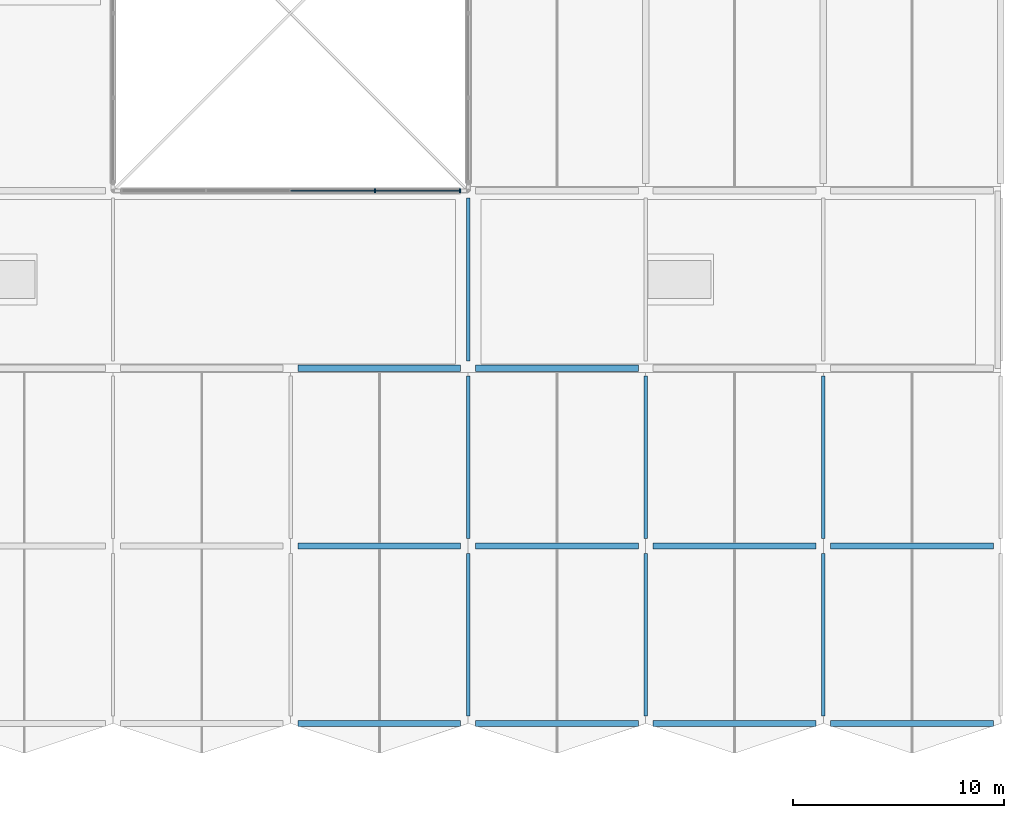
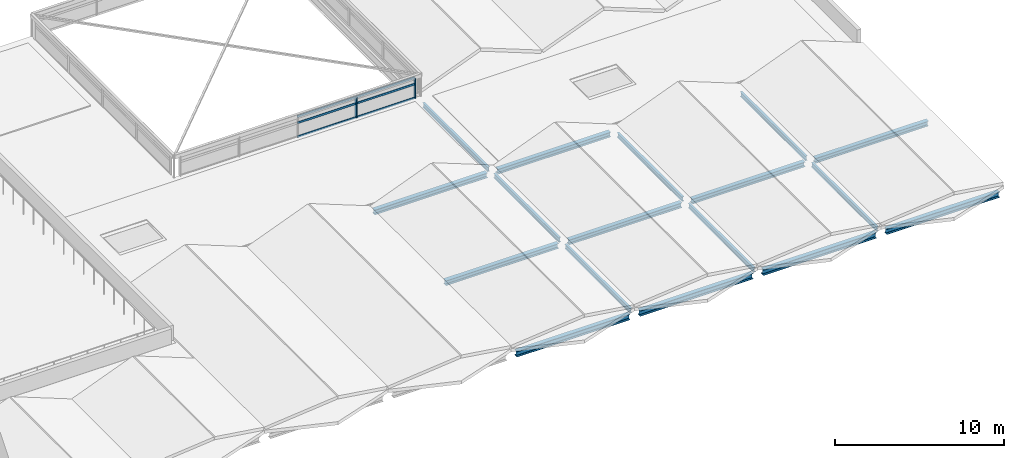
# One storey, part 60 of 81: 17 beams, 8 members, 1 element without a shape of its own.
"""IFC4 building model written with IfcOpenShell, lengths in metres."""

from ifc_helpers import new_model, si_unit, direction, frame, origin, origin_2d, place, context, subcontext, project, spatial, rectangle, i_section, extrude, material, layer, layer_set, material_profile, profile_set, type_object, element, aggregate, save


model = new_model("IFC4")

# Units and contexts
model_context = context("Model", 3, precision=1e-05, world=origin(), true_north=direction((0.0, 1.0)))
body_context = subcontext(model_context, "Body", "Model", "MODEL_VIEW")
ifc_project = project(units=[si_unit("LENGTHUNIT", "METRE"), si_unit("AREAUNIT", "SQUARE_METRE"), si_unit("VOLUMEUNIT", "CUBIC_METRE"), si_unit("PLANEANGLEUNIT", "RADIAN"), si_unit("MASSUNIT", "GRAM", prefix="KILO")], contexts=[model_context])

# Site, building, storey
site_placement = place(None, origin())
site = spatial("IfcSite", under=ifc_project, at=site_placement, CompositionType="ELEMENT")
building_placement = place(site_placement, origin())
building = spatial("IfcBuilding", under=site, at=building_placement, Name="Qawsi Khor Wholesale Market", CompositionType="ELEMENT")
storey_placement = place(building_placement, frame((0.0, 0.0, 16.199951171875)))
storey = spatial("IfcBuildingStorey", under=building, at=storey_placement, Name="L03", CompositionType="ELEMENT", Elevation=16.199951171875)

# Curtain wall, members
ifc_material_1 = material(Name="Aluminium Anodised Bronze", Category="aluminium")
ifc_layer = layer(ifc_material_1, 0.179931640625, Name="Aluminium Anodised Bronze")
ifc_layer_set = layer_set([ifc_layer], Name="Aluminium Anodised Bronze")
curtain_wall_type = type_object("IfcCurtainWallType", Name="Atrium Full-Height Curtain Wall CW-02", PredefinedType="NOTDEFINED", material=ifc_layer_set)
curtain_wall_placement = place(storey_placement, origin())
curtain_wall = element("IfcCurtainWall", 1, at=curtain_wall_placement, inside=storey, type_object=curtain_wall_type, Name="Curtain wall CW-CW-02-L03-050", PredefinedType="NOTDEFINED")
ifc_material_profile_1 = material_profile(ifc_material_1, rectangle(XDim=0.070068359375, YDim=0.199951171875, at=origin_2d()), Name="ALU MULLION 70x200")
ifc_profile_set_1 = profile_set([ifc_material_profile_1], Name="Aluminium Anodised Bronze")
member_type_1 = type_object("IfcMemberType", Name="Curtain Wall Mullion CW-02 ALU MULLION 70x200", PredefinedType="MULLION", material=ifc_profile_set_1)
member_1_placement = place(storey_placement, frame((163.6025390625, 25.199951171875, -0.02001953125), z_axis=(0.0, 0.0, 1.0), x_axis=(1.0, 0.0, 0.0)))
member_1 = element("IfcMember", 2, at=member_1_placement, type_object=member_type_1, Name="Mullion CW-CW-02-L03-050-M03", PredefinedType="MULLION", context=body_context, shape_type="SweptSolid", body=[
    extrude(rectangle(XDim=0.070068359375, YDim=0.199951171875, at=origin_2d()), origin(), (0.0, 0.0, 1.0), 1.469970703125),
])
member_2_placement = place(storey_placement, frame((167.60498046875, 25.199951171875, -0.02001953125), z_axis=(0.0, 0.0, 1.0), x_axis=(1.0, 0.0, 0.0)))
member_2 = element("IfcMember", 3, at=member_2_placement, type_object=member_type_1, Name="Mullion CW-CW-02-L03-050-M04", PredefinedType="MULLION", context=body_context, shape_type="SweptSolid", body=[
    extrude(rectangle(XDim=0.070068359375, YDim=0.199951171875, at=origin_2d()), origin(), (0.0, 0.0, 1.0), 1.469970703125),
])
ifc_material_profile_2 = material_profile(ifc_material_1, rectangle(XDim=0.06494140625, YDim=0.139892578125, at=origin_2d()), Name="ALU TRANSOM 65x140")
ifc_profile_set_2 = profile_set([ifc_material_profile_2], Name="Aluminium Anodised Bronze")
member_type_2 = type_object("IfcMemberType", Name="Curtain Wall Transom CW-02 ALU TRANSOM 65x140", PredefinedType="USERDEFINED", material=ifc_profile_set_2)
member_3_placement = place(storey_placement, frame((159.60009765625, 25.199951171875, 0.0), z_axis=(1.0, 0.0, 0.0), x_axis=(0.0, 1.0, 0.0)))
member_3 = element("IfcMember", 4, at=member_3_placement, type_object=member_type_2, Name="Transom CW-CW-02-L03-050-T0_02", ObjectType="TRANSOM", PredefinedType="USERDEFINED", context=body_context, shape_type="SweptSolid", body=[
    extrude(rectangle(XDim=0.06494140625, YDim=0.139892578125, at=origin_2d()), origin(), (0.0, 0.0, 1.0), 4.00244140625),
])
member_4_placement = place(storey_placement, frame((163.6025390625, 25.199951171875, 0.0), z_axis=(1.0, 0.0, 0.0), x_axis=(0.0, 1.0, 0.0)))
member_4 = element("IfcMember", 5, at=member_4_placement, type_object=member_type_2, Name="Transom CW-CW-02-L03-050-T0_03", ObjectType="TRANSOM", PredefinedType="USERDEFINED", context=body_context, shape_type="SweptSolid", body=[
    extrude(rectangle(XDim=0.06494140625, YDim=0.139892578125, at=origin_2d()), origin(), (0.0, 0.0, 1.0), 4.00244140625),
])
member_5_placement = place(storey_placement, frame((159.60009765625, 25.199951171875, 1.0), z_axis=(1.0, 0.0, 0.0), x_axis=(0.0, 1.0, 0.0)))
member_5 = element("IfcMember", 6, at=member_5_placement, type_object=member_type_2, Name="Transom CW-CW-02-L03-050-T1_02", ObjectType="TRANSOM", PredefinedType="USERDEFINED", context=body_context, shape_type="SweptSolid", body=[
    extrude(rectangle(XDim=0.06494140625, YDim=0.139892578125, at=origin_2d()), origin(), (0.0, 0.0, 1.0), 4.00244140625),
])
member_6_placement = place(storey_placement, frame((163.6025390625, 25.199951171875, 1.0), z_axis=(1.0, 0.0, 0.0), x_axis=(0.0, 1.0, 0.0)))
member_6 = element("IfcMember", 7, at=member_6_placement, type_object=member_type_2, Name="Transom CW-CW-02-L03-050-T1_03", ObjectType="TRANSOM", PredefinedType="USERDEFINED", context=body_context, shape_type="SweptSolid", body=[
    extrude(rectangle(XDim=0.06494140625, YDim=0.139892578125, at=origin_2d()), origin(), (0.0, 0.0, 1.0), 4.00244140625),
])
member_7_placement = place(storey_placement, frame((159.60009765625, 25.199951171875, 1.449951171875), z_axis=(1.0, 0.0, 0.0), x_axis=(0.0, 1.0, 0.0)))
member_7 = element("IfcMember", 8, at=member_7_placement, type_object=member_type_2, Name="Transom CW-CW-02-L03-050-T2_02", ObjectType="TRANSOM", PredefinedType="USERDEFINED", context=body_context, shape_type="SweptSolid", body=[
    extrude(rectangle(XDim=0.06494140625, YDim=0.139892578125, at=origin_2d()), origin(), (0.0, 0.0, 1.0), 4.00244140625),
])
member_8_placement = place(storey_placement, frame((163.6025390625, 25.199951171875, 1.449951171875), z_axis=(1.0, 0.0, 0.0), x_axis=(0.0, 1.0, 0.0)))
member_8 = element("IfcMember", 9, at=member_8_placement, type_object=member_type_2, Name="Transom CW-CW-02-L03-050-T2_03", ObjectType="TRANSOM", PredefinedType="USERDEFINED", context=body_context, shape_type="SweptSolid", body=[
    extrude(rectangle(XDim=0.06494140625, YDim=0.139892578125, at=origin_2d()), origin(), (0.0, 0.0, 1.0), 4.00244140625),
])
aggregate(curtain_wall, [member_1, member_2, member_3, member_4, member_5, member_6, member_7, member_8])

# Beams
ifc_material_2 = material(Name="Steel S355", Category="steel")
ifc_material_profile_3 = material_profile(ifc_material_2, i_section(OverallWidth=0.300048828125, OverallDepth=0.39990234375, WebThickness=0.013427734375, FlangeThickness=0.02392578125, FilletRadius=0.027099609375, at=origin_2d()), Name="HEB 400")
ifc_profile_set_3 = profile_set([ifc_material_profile_3], Name="Steel S355")
beam_type_1 = type_object("IfcBeamType", Name="Heavy Edge Girder HEB 400", PredefinedType="BEAM", material=ifc_profile_set_3)
for number, where, z_axis, x_axis, name in (
    (10, (159.949951171875, 0.0, -0.449951171875), (1.0, 0.0, 0.0), (0.0, 1.0, 0.0), "BM-X-L03-19_+00"),
    (11, (168.35009765625, 0.0, -0.449951171875), (1.0, 0.0, 0.0), (0.0, 1.0, 0.0), "BM-X-L03-20_+00"),
    (12, (176.75, 0.0, -0.449951171875), (1.0, 0.0, 0.0), (0.0, 1.0, 0.0), "BM-X-L03-21_+00"),
):
    element("IfcBeam", number, at=place(storey_placement, frame(where, z_axis=z_axis, x_axis=x_axis)), inside=storey, type_object=beam_type_1, Name=name, PredefinedType="BEAM", context=body_context, shape_type="SweptSolid", body=[
        extrude(i_section(OverallWidth=0.300048828125, OverallDepth=0.39990234375, WebThickness=0.013427734375, FlangeThickness=0.02392578125, FilletRadius=0.027099609375, at=origin_2d()), origin(), (0.0, 0.0, 1.0), 7.699951171875),
    ])
beam_1_placement = place(storey_placement, frame((185.14990234375, 0.0, -0.449951171875), z_axis=(1.0, 0.0, 0.0), x_axis=(0.0, 1.0, 0.0)))
element("IfcBeam", 13, at=beam_1_placement, inside=storey, type_object=beam_type_1, Name="BM-X-L03-22_+00", PredefinedType="BEAM", context=body_context, shape_type="SweptSolid", body=[
    extrude(i_section(OverallWidth=0.300048828125, OverallDepth=0.39990234375, WebThickness=0.013427734375, FlangeThickness=0.02392578125, FilletRadius=0.027099609375, at=origin_2d()), origin(), (0.0, 0.0, 1.0), 7.7001953125),
])
ifc_material_profile_4 = material_profile(ifc_material_2, i_section(OverallWidth=0.300048828125, OverallDepth=0.35009765625, WebThickness=0.010009765625, FlangeThickness=0.017578125, FilletRadius=0.027099609375, at=origin_2d()), Name="HEA 360")
ifc_profile_set_4 = profile_set([ifc_material_profile_4], Name="Steel S355")
beam_type_2 = type_object("IfcBeamType", Name="Primary Girder HEA 360", PredefinedType="BEAM", material=ifc_profile_set_4)
for number, where, z_axis, x_axis, name in (
    (14, (159.949951171875, 8.39990234375, -0.425048828125), (1.0, 0.0, 0.0), (0.0, 1.0, 0.0), "BM-X-L03-19_+01"),
    (15, (159.949951171875, 16.800048828125, -0.425048828125), (1.0, 0.0, 0.0), (0.0, 1.0, 0.0), "BM-X-L03-19_+02"),
    (16, (168.35009765625, 8.39990234375, -0.425048828125), (1.0, 0.0, 0.0), (0.0, 1.0, 0.0), "BM-X-L03-20_+01"),
    (17, (168.35009765625, 16.800048828125, -0.425048828125), (1.0, 0.0, 0.0), (0.0, 1.0, 0.0), "BM-X-L03-20_+02"),
    (18, (176.75, 8.39990234375, -0.425048828125), (1.0, 0.0, 0.0), (0.0, 1.0, 0.0), "BM-X-L03-21_+01"),
):
    element("IfcBeam", number, at=place(storey_placement, frame(where, z_axis=z_axis, x_axis=x_axis)), inside=storey, type_object=beam_type_2, Name=name, PredefinedType="BEAM", context=body_context, shape_type="SweptSolid", body=[
        extrude(i_section(OverallWidth=0.300048828125, OverallDepth=0.35009765625, WebThickness=0.010009765625, FlangeThickness=0.017578125, FilletRadius=0.027099609375, at=origin_2d()), origin(), (0.0, 0.0, 1.0), 7.699951171875),
    ])
beam_2_placement = place(storey_placement, frame((185.14990234375, 8.39990234375, -0.425048828125), z_axis=(1.0, 0.0, 0.0), x_axis=(0.0, 1.0, 0.0)))
element("IfcBeam", 19, at=beam_2_placement, inside=storey, type_object=beam_type_2, Name="BM-X-L03-22_+01", PredefinedType="BEAM", context=body_context, shape_type="SweptSolid", body=[
    extrude(i_section(OverallWidth=0.300048828125, OverallDepth=0.35009765625, WebThickness=0.010009765625, FlangeThickness=0.017578125, FilletRadius=0.027099609375, at=origin_2d()), origin(), (0.0, 0.0, 1.0), 7.7001953125),
])
ifc_material_profile_5 = material_profile(ifc_material_2, i_section(OverallWidth=0.159912109375, OverallDepth=0.330078125, WebThickness=0.007568359375, FlangeThickness=0.011474609375, FilletRadius=0.01806640625, at=origin_2d()), Name="IPE 330")
ifc_profile_set_5 = profile_set([ifc_material_profile_5], Name="Steel S355")
beam_type_3 = type_object("IfcBeamType", Name="Secondary Beam IPE 330", PredefinedType="BEAM", material=ifc_profile_set_5)
for number, where, z_axis, x_axis, name in (
    (20, (168.0, 0.35009765625, -0.4150390625), (0.0, 1.0, 0.0), (-1.0, 0.0, 0.0), "BM-Y-L03-20_+00"),
    (21, (168.0, 8.75, -0.4150390625), (0.0, 1.0, 0.0), (-1.0, 0.0, 0.0), "BM-Y-L03-20_+01"),
):
    element("IfcBeam", number, at=place(storey_placement, frame(where, z_axis=z_axis, x_axis=x_axis)), inside=storey, type_object=beam_type_3, Name=name, PredefinedType="BEAM", context=body_context, shape_type="SweptSolid", body=[
        extrude(i_section(OverallWidth=0.159912109375, OverallDepth=0.330078125, WebThickness=0.007568359375, FlangeThickness=0.011474609375, FilletRadius=0.01806640625, at=origin_2d()), origin(), (0.0, 0.0, 1.0), 7.699951171875),
    ])
beam_3_placement = place(storey_placement, frame((168.0, 17.14990234375, -0.4150390625), z_axis=(0.0, 1.0, 0.0), x_axis=(-1.0, 0.0, 0.0)))
element("IfcBeam", 22, at=beam_3_placement, inside=storey, type_object=beam_type_3, Name="BM-Y-L03-20_+02", PredefinedType="BEAM", context=body_context, shape_type="SweptSolid", body=[
    extrude(i_section(OverallWidth=0.159912109375, OverallDepth=0.330078125, WebThickness=0.007568359375, FlangeThickness=0.011474609375, FilletRadius=0.01806640625, at=origin_2d()), origin(), (0.0, 0.0, 1.0), 7.7001953125),
])
for number, where, z_axis, x_axis, name in (
    (23, (176.39990234375, 0.35009765625, -0.4150390625), (0.0, 1.0, 0.0), (-1.0, 0.0, 0.0), "BM-Y-L03-21_+00"),
    (24, (176.39990234375, 8.75, -0.4150390625), (0.0, 1.0, 0.0), (-1.0, 0.0, 0.0), "BM-Y-L03-21_+01"),
    (25, (184.800048828125, 0.35009765625, -0.4150390625), (0.0, 1.0, 0.0), (-1.0, 0.0, 0.0), "BM-Y-L03-22_+00"),
    (26, (184.800048828125, 8.75, -0.4150390625), (0.0, 1.0, 0.0), (-1.0, 0.0, 0.0), "BM-Y-L03-22_+01"),
):
    element("IfcBeam", number, at=place(storey_placement, frame(where, z_axis=z_axis, x_axis=x_axis)), inside=storey, type_object=beam_type_3, Name=name, PredefinedType="BEAM", context=body_context, shape_type="SweptSolid", body=[
        extrude(i_section(OverallWidth=0.159912109375, OverallDepth=0.330078125, WebThickness=0.007568359375, FlangeThickness=0.011474609375, FilletRadius=0.01806640625, at=origin_2d()), origin(), (0.0, 0.0, 1.0), 7.699951171875),
    ])

save(model, "model.ifc")
